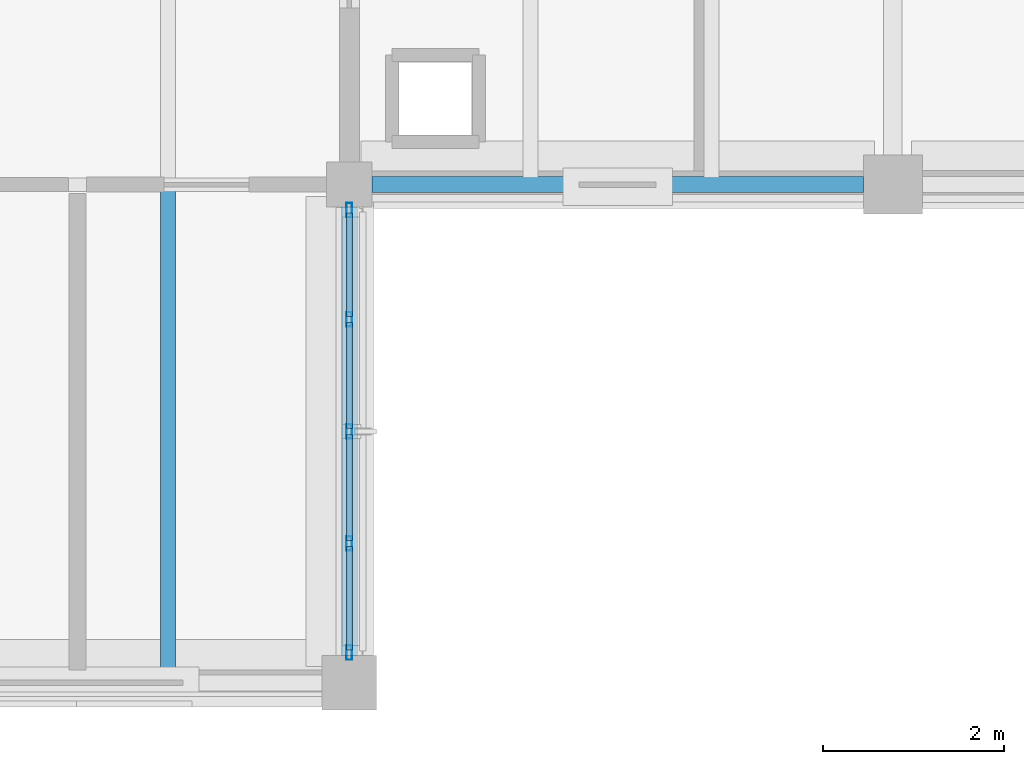
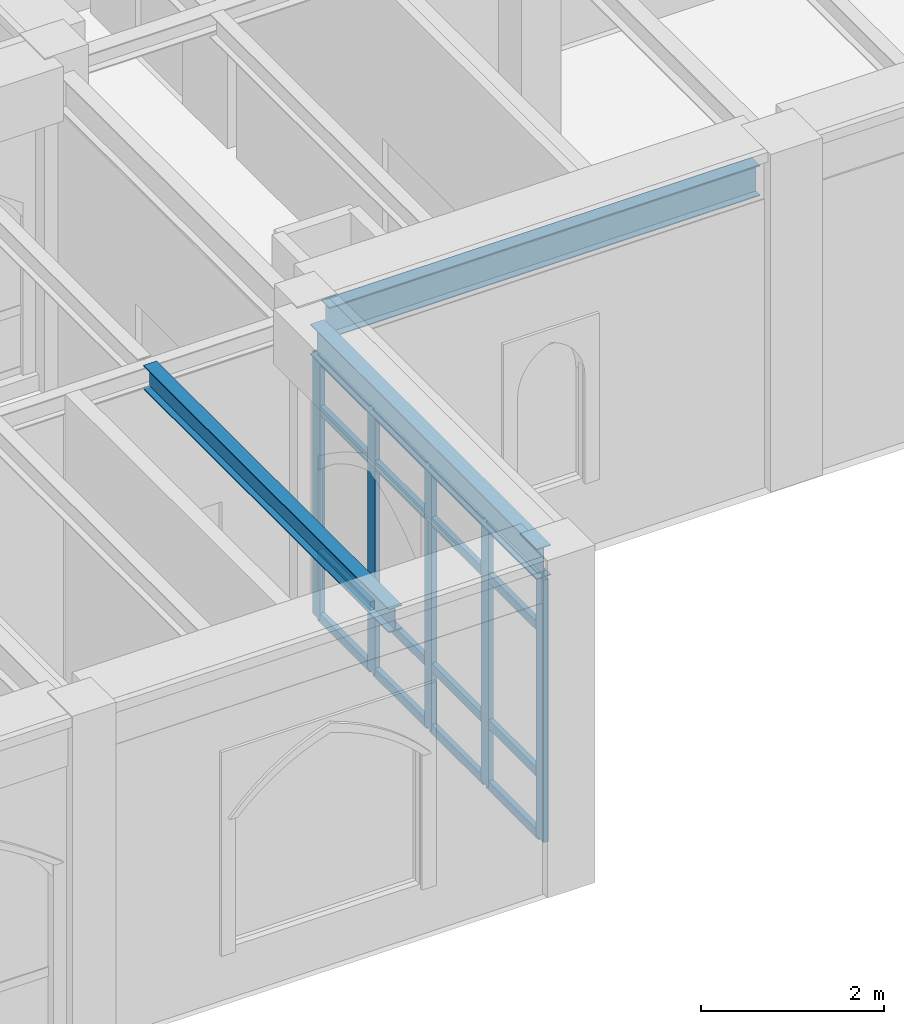
# One storey, part 45 of 127: 21 members, 3 beams, 1 element without a shape of its own.
"""IFC4 building model written with IfcOpenShell, lengths in metres."""

from ifc_helpers import new_model, si_unit, direction, frame, origin, origin_2d, place, context, subcontext, project, spatial, hollow_rectangle, i_section, extrude, material, layer, layer_set, material_profile, profile_set, type_object, element, aggregate, save


model = new_model("IFC4")

# Units and contexts
model_context = context("Model", 3, precision=1e-05, world=origin(), true_north=direction((0.0, 1.0)))
body_context = subcontext(model_context, "Body", "Model", "MODEL_VIEW")
ifc_project = project(units=[si_unit("LENGTHUNIT", "METRE"), si_unit("AREAUNIT", "SQUARE_METRE"), si_unit("VOLUMEUNIT", "CUBIC_METRE"), si_unit("PLANEANGLEUNIT", "RADIAN"), si_unit("MASSUNIT", "GRAM", prefix="KILO")], contexts=[model_context])

# Site, building, storey
site_placement = place(None, origin())
site = spatial("IfcSite", under=ifc_project, at=site_placement, CompositionType="ELEMENT")
building_placement = place(site_placement, origin())
building = spatial("IfcBuilding", under=site, at=building_placement, Name="Cumevento Cable Car Station", CompositionType="ELEMENT")
storey_placement = place(building_placement, frame((0.0, 0.0, 4.5)))
storey = spatial("IfcBuildingStorey", under=building, at=storey_placement, Name="L02", CompositionType="ELEMENT", Elevation=4.5)

# Curtain wall, members
ifc_material_1 = material(Name="Anodised Bronze Aluminium AW-6063-T6", Category="aluminium")
ifc_layer = layer(ifc_material_1, 0.177978515625)
ifc_layer_set = layer_set([ifc_layer], Name="Anodised Bronze Aluminium AW-6063-T6")
curtain_wall_type = type_object("IfcCurtainWallType", Name="Lancet Curtain Wall CW-04 1170", PredefinedType="NOTDEFINED", material=ifc_layer_set)
curtain_wall_placement = place(storey_placement, origin())
curtain_wall = element("IfcCurtainWall", 1, at=curtain_wall_placement, inside=storey, type_object=curtain_wall_type, Name="Lancet Curtain Wall CW-04 L02 #35", PredefinedType="NOTDEFINED")
ifc_material_2 = material(Name="Anodised Bronze Aluminium AW-6063-T6", Category="aluminium")
ifc_material_profile_1 = material_profile(ifc_material_2, hollow_rectangle(XDim=0.06494140625, YDim=0.159912109375, WallThickness=0.00390625, at=origin_2d()), Name="ALUM65x160x4")
ifc_profile_set_1 = profile_set([ifc_material_profile_1], Name="Anodised Bronze Aluminium AW-6063-T6")
member_type_1 = type_object("IfcMemberType", Name="Curtain Mullion CWM-01 ALUM65x160x4", PredefinedType="MULLION", material=ifc_profile_set_1)
member_1_placement = place(storey_placement, frame((118.0, 9.217529296875, 0.31005859375), z_axis=(0.0, 0.0, 1.0), x_axis=(1.0, 0.0, 0.0)))
member_1 = element("IfcMember", 2, at=member_1_placement, type_object=member_type_1, Name="CW-04 mullion 1", PredefinedType="MULLION", context=body_context, shape_type="SweptSolid", body=[
    extrude(hollow_rectangle(XDim=0.06494140625, YDim=0.159912109375, WallThickness=0.00390625, at=origin_2d()), origin(), (0.0, 0.0, 1.0), 3.4990234375),
])
member_2_placement = place(storey_placement, frame((118.0, 8.012451171875, 0.31005859375), z_axis=(0.0, 0.0, 1.0), x_axis=(1.0, 0.0, 0.0)))
member_2 = element("IfcMember", 3, at=member_2_placement, type_object=member_type_1, Name="CW-04 mullion 2", PredefinedType="MULLION", context=body_context, shape_type="SweptSolid", body=[
    extrude(hollow_rectangle(XDim=0.06494140625, YDim=0.159912109375, WallThickness=0.00390625, at=origin_2d()), origin(), (0.0, 0.0, 1.0), 3.4990234375),
])
member_3_placement = place(storey_placement, frame((118.0, 6.77490234375, 0.31005859375), z_axis=(0.0, 0.0, 1.0), x_axis=(1.0, 0.0, 0.0)))
member_3 = element("IfcMember", 4, at=member_3_placement, type_object=member_type_1, Name="CW-04 mullion 3", PredefinedType="MULLION", context=body_context, shape_type="SweptSolid", body=[
    extrude(hollow_rectangle(XDim=0.06494140625, YDim=0.159912109375, WallThickness=0.00390625, at=origin_2d()), origin(), (0.0, 0.0, 1.0), 3.4990234375),
])
member_4_placement = place(storey_placement, frame((118.0, 5.53759765625, 0.31005859375), z_axis=(0.0, 0.0, 1.0), x_axis=(1.0, 0.0, 0.0)))
member_4 = element("IfcMember", 5, at=member_4_placement, type_object=member_type_1, Name="CW-04 mullion 4", PredefinedType="MULLION", context=body_context, shape_type="SweptSolid", body=[
    extrude(hollow_rectangle(XDim=0.06494140625, YDim=0.159912109375, WallThickness=0.00390625, at=origin_2d()), origin(), (0.0, 0.0, 1.0), 3.4990234375),
])
member_5_placement = place(storey_placement, frame((118.0, 4.33251953125, 0.31005859375), z_axis=(0.0, 0.0, 1.0), x_axis=(1.0, 0.0, 0.0)))
member_5 = element("IfcMember", 6, at=member_5_placement, type_object=member_type_1, Name="CW-04 mullion 5", PredefinedType="MULLION", context=body_context, shape_type="SweptSolid", body=[
    extrude(hollow_rectangle(XDim=0.06494140625, YDim=0.159912109375, WallThickness=0.00390625, at=origin_2d()), origin(), (0.0, 0.0, 1.0), 3.4990234375),
])
ifc_material_3 = material(Name="Anodised Bronze Aluminium AW-6063-T6", Category="aluminium")
ifc_material_profile_2 = material_profile(ifc_material_3, hollow_rectangle(XDim=0.06494140625, YDim=0.1201171875, WallThickness=0.00390625, at=origin_2d()), Name="ALUT65x120x4")
ifc_profile_set_2 = profile_set([ifc_material_profile_2], Name="Anodised Bronze Aluminium AW-6063-T6")
member_type_2 = type_object("IfcMemberType", Name="Curtain Transom CWT-01 ALUT65x120x4", PredefinedType="USERDEFINED", material=ifc_profile_set_2)
member_6_placement = place(storey_placement, frame((118.0, 9.18505859375, 0.342529296875), z_axis=(0.0, -1.0, 0.0), x_axis=(1.0, 0.0, 0.0)))
member_6 = element("IfcMember", 7, at=member_6_placement, type_object=member_type_2, Name="CW-04 transom 1.1", ObjectType="TRANSOM", PredefinedType="USERDEFINED", context=body_context, shape_type="SweptSolid", body=[
    extrude(hollow_rectangle(XDim=0.06494140625, YDim=0.1201171875, WallThickness=0.00390625, at=origin_2d()), origin(), (0.0, 0.0, 1.0), 1.14013671875),
])
member_7_placement = place(storey_placement, frame((118.0, 9.18505859375, 1.159912109375), z_axis=(0.0, -1.0, 0.0), x_axis=(1.0, 0.0, 0.0)))
member_7 = element("IfcMember", 8, at=member_7_placement, type_object=member_type_2, Name="CW-04 transom 1.2", ObjectType="TRANSOM", PredefinedType="USERDEFINED", context=body_context, shape_type="SweptSolid", body=[
    extrude(hollow_rectangle(XDim=0.06494140625, YDim=0.1201171875, WallThickness=0.00390625, at=origin_2d()), origin(), (0.0, 0.0, 1.0), 1.14013671875),
])
member_8_placement = place(storey_placement, frame((118.0, 9.18505859375, 3.10888671875), z_axis=(0.0, -1.0, 0.0), x_axis=(1.0, 0.0, 0.0)))
member_8 = element("IfcMember", 9, at=member_8_placement, type_object=member_type_2, Name="CW-04 transom 1.3", ObjectType="TRANSOM", PredefinedType="USERDEFINED", context=body_context, shape_type="SweptSolid", body=[
    extrude(hollow_rectangle(XDim=0.06494140625, YDim=0.1201171875, WallThickness=0.00390625, at=origin_2d()), origin(), (0.0, 0.0, 1.0), 1.14013671875),
])
member_9_placement = place(storey_placement, frame((118.0, 9.18505859375, 3.776611328125), z_axis=(0.0, -1.0, 0.0), x_axis=(1.0, 0.0, 0.0)))
member_9 = element("IfcMember", 10, at=member_9_placement, type_object=member_type_2, Name="CW-04 transom 1.4", ObjectType="TRANSOM", PredefinedType="USERDEFINED", context=body_context, shape_type="SweptSolid", body=[
    extrude(hollow_rectangle(XDim=0.06494140625, YDim=0.1201171875, WallThickness=0.00390625, at=origin_2d()), origin(), (0.0, 0.0, 1.0), 1.14013671875),
])
member_10_placement = place(storey_placement, frame((118.0, 7.97998046875, 0.342529296875), z_axis=(0.0, -1.0, 0.0), x_axis=(1.0, 0.0, 0.0)))
member_10 = element("IfcMember", 11, at=member_10_placement, type_object=member_type_2, Name="CW-04 transom 2.1", ObjectType="TRANSOM", PredefinedType="USERDEFINED", context=body_context, shape_type="SweptSolid", body=[
    extrude(hollow_rectangle(XDim=0.06494140625, YDim=0.1201171875, WallThickness=0.00390625, at=origin_2d()), origin(), (0.0, 0.0, 1.0), 1.17236328125),
])
member_11_placement = place(storey_placement, frame((118.0, 7.97998046875, 1.159912109375), z_axis=(0.0, -1.0, 0.0), x_axis=(1.0, 0.0, 0.0)))
member_11 = element("IfcMember", 12, at=member_11_placement, type_object=member_type_2, Name="CW-04 transom 2.2", ObjectType="TRANSOM", PredefinedType="USERDEFINED", context=body_context, shape_type="SweptSolid", body=[
    extrude(hollow_rectangle(XDim=0.06494140625, YDim=0.1201171875, WallThickness=0.00390625, at=origin_2d()), origin(), (0.0, 0.0, 1.0), 1.17236328125),
])
member_12_placement = place(storey_placement, frame((118.0, 7.97998046875, 3.10888671875), z_axis=(0.0, -1.0, 0.0), x_axis=(1.0, 0.0, 0.0)))
member_12 = element("IfcMember", 13, at=member_12_placement, type_object=member_type_2, Name="CW-04 transom 2.3", ObjectType="TRANSOM", PredefinedType="USERDEFINED", context=body_context, shape_type="SweptSolid", body=[
    extrude(hollow_rectangle(XDim=0.06494140625, YDim=0.1201171875, WallThickness=0.00390625, at=origin_2d()), origin(), (0.0, 0.0, 1.0), 1.17236328125),
])
member_13_placement = place(storey_placement, frame((118.0, 7.97998046875, 3.776611328125), z_axis=(0.0, -1.0, 0.0), x_axis=(1.0, 0.0, 0.0)))
member_13 = element("IfcMember", 14, at=member_13_placement, type_object=member_type_2, Name="CW-04 transom 2.4", ObjectType="TRANSOM", PredefinedType="USERDEFINED", context=body_context, shape_type="SweptSolid", body=[
    extrude(hollow_rectangle(XDim=0.06494140625, YDim=0.1201171875, WallThickness=0.00390625, at=origin_2d()), origin(), (0.0, 0.0, 1.0), 1.17236328125),
])
member_14_placement = place(storey_placement, frame((118.0, 6.742431640625, 0.342529296875), z_axis=(0.0, -1.0, 0.0), x_axis=(1.0, 0.0, 0.0)))
member_14 = element("IfcMember", 15, at=member_14_placement, type_object=member_type_2, Name="CW-04 transom 3.1", ObjectType="TRANSOM", PredefinedType="USERDEFINED", context=body_context, shape_type="SweptSolid", body=[
    extrude(hollow_rectangle(XDim=0.06494140625, YDim=0.1201171875, WallThickness=0.00390625, at=origin_2d()), origin(), (0.0, 0.0, 1.0), 1.17236328125),
])
member_15_placement = place(storey_placement, frame((118.0, 6.742431640625, 1.159912109375), z_axis=(0.0, -1.0, 0.0), x_axis=(1.0, 0.0, 0.0)))
member_15 = element("IfcMember", 16, at=member_15_placement, type_object=member_type_2, Name="CW-04 transom 3.2", ObjectType="TRANSOM", PredefinedType="USERDEFINED", context=body_context, shape_type="SweptSolid", body=[
    extrude(hollow_rectangle(XDim=0.06494140625, YDim=0.1201171875, WallThickness=0.00390625, at=origin_2d()), origin(), (0.0, 0.0, 1.0), 1.17236328125),
])
member_16_placement = place(storey_placement, frame((118.0, 6.742431640625, 3.10888671875), z_axis=(0.0, -1.0, 0.0), x_axis=(1.0, 0.0, 0.0)))
member_16 = element("IfcMember", 17, at=member_16_placement, type_object=member_type_2, Name="CW-04 transom 3.3", ObjectType="TRANSOM", PredefinedType="USERDEFINED", context=body_context, shape_type="SweptSolid", body=[
    extrude(hollow_rectangle(XDim=0.06494140625, YDim=0.1201171875, WallThickness=0.00390625, at=origin_2d()), origin(), (0.0, 0.0, 1.0), 1.17236328125),
])
member_17_placement = place(storey_placement, frame((118.0, 6.742431640625, 3.776611328125), z_axis=(0.0, -1.0, 0.0), x_axis=(1.0, 0.0, 0.0)))
member_17 = element("IfcMember", 18, at=member_17_placement, type_object=member_type_2, Name="CW-04 transom 3.4", ObjectType="TRANSOM", PredefinedType="USERDEFINED", context=body_context, shape_type="SweptSolid", body=[
    extrude(hollow_rectangle(XDim=0.06494140625, YDim=0.1201171875, WallThickness=0.00390625, at=origin_2d()), origin(), (0.0, 0.0, 1.0), 1.17236328125),
])
member_18_placement = place(storey_placement, frame((118.0, 5.5048828125, 0.342529296875), z_axis=(0.0, -1.0, 0.0), x_axis=(1.0, 0.0, 0.0)))
member_18 = element("IfcMember", 19, at=member_18_placement, type_object=member_type_2, Name="CW-04 transom 4.1", ObjectType="TRANSOM", PredefinedType="USERDEFINED", context=body_context, shape_type="SweptSolid", body=[
    extrude(hollow_rectangle(XDim=0.06494140625, YDim=0.1201171875, WallThickness=0.00390625, at=origin_2d()), origin(), (0.0, 0.0, 1.0), 1.139892578125),
])
member_19_placement = place(storey_placement, frame((118.0, 5.5048828125, 1.159912109375), z_axis=(0.0, -1.0, 0.0), x_axis=(1.0, 0.0, 0.0)))
member_19 = element("IfcMember", 20, at=member_19_placement, type_object=member_type_2, Name="CW-04 transom 4.2", ObjectType="TRANSOM", PredefinedType="USERDEFINED", context=body_context, shape_type="SweptSolid", body=[
    extrude(hollow_rectangle(XDim=0.06494140625, YDim=0.1201171875, WallThickness=0.00390625, at=origin_2d()), origin(), (0.0, 0.0, 1.0), 1.139892578125),
])
member_20_placement = place(storey_placement, frame((118.0, 5.5048828125, 3.10888671875), z_axis=(0.0, -1.0, 0.0), x_axis=(1.0, 0.0, 0.0)))
member_20 = element("IfcMember", 21, at=member_20_placement, type_object=member_type_2, Name="CW-04 transom 4.3", ObjectType="TRANSOM", PredefinedType="USERDEFINED", context=body_context, shape_type="SweptSolid", body=[
    extrude(hollow_rectangle(XDim=0.06494140625, YDim=0.1201171875, WallThickness=0.00390625, at=origin_2d()), origin(), (0.0, 0.0, 1.0), 1.139892578125),
])
member_21_placement = place(storey_placement, frame((118.0, 5.5048828125, 3.776611328125), z_axis=(0.0, -1.0, 0.0), x_axis=(1.0, 0.0, 0.0)))
member_21 = element("IfcMember", 22, at=member_21_placement, type_object=member_type_2, Name="CW-04 transom 4.4", ObjectType="TRANSOM", PredefinedType="USERDEFINED", context=body_context, shape_type="SweptSolid", body=[
    extrude(hollow_rectangle(XDim=0.06494140625, YDim=0.1201171875, WallThickness=0.00390625, at=origin_2d()), origin(), (0.0, 0.0, 1.0), 1.139892578125),
])
aggregate(curtain_wall, [member_1, member_2, member_3, member_4, member_5, member_6, member_7, member_8, member_9, member_10, member_11, member_12, member_13, member_14, member_15, member_16, member_17, member_18, member_19, member_20, member_21])

# Beams
ifc_material_4 = material(Name="Steel ASTM A572 Grade 50", Category="steel")
ifc_material_profile_3 = material_profile(ifc_material_4, i_section(OverallWidth=0.1669921875, OverallDepth=0.31689453125, WebThickness=0.007568359375, FlangeThickness=0.01318359375, at=origin_2d()), Name="W310x52.0")
ifc_profile_set_3 = profile_set([ifc_material_profile_3], Name="Steel ASTM A572 Grade 50")
beam_type_1 = type_object("IfcBeamType", Name="Structural Joist JS-02 W310x52.0", PredefinedType="JOIST", material=ifc_profile_set_3)
beam_1_placement = place(storey_placement, frame((116.0, 4.076904296875, 4.091552734375), z_axis=(0.0, 1.0, 0.0), x_axis=(-1.0, 0.0, 0.0)))
element("IfcBeam", 23, at=beam_1_placement, inside=storey, type_object=beam_type_1, Name="Composite Floor Joist JS-02 L02 #750", PredefinedType="JOIST", context=body_context, shape_type="SweptSolid", body=[
    extrude(i_section(OverallWidth=0.1669921875, OverallDepth=0.31689453125, WebThickness=0.007568359375, FlangeThickness=0.01318359375, at=origin_2d()), origin(), (0.0, 0.0, 1.0), 5.361083984375),
])
ifc_material_5 = material(Name="Steel ASTM A572 Grade 50", Category="steel")
ifc_material_profile_4 = material_profile(ifc_material_5, i_section(OverallWidth=0.177978515625, OverallDepth=0.406982421875, WebThickness=0.0078125, FlangeThickness=0.0126953125, at=origin_2d()), Name="W410x60.0")
ifc_profile_set_4 = profile_set([ifc_material_profile_4], Name="Steel ASTM A572 Grade 50")
beam_type_2 = type_object("IfcBeamType", Name="Structural Spandrel SP-01 W410x60.0", PredefinedType="SPANDREL", material=ifc_profile_set_4)
beam_2_placement = place(storey_placement, frame((118.0, 4.300048828125, 4.012451171875), z_axis=(0.0, 1.0, 0.0), x_axis=(-1.0, 0.0, 0.0)))
element("IfcBeam", 24, at=beam_2_placement, inside=storey, type_object=beam_type_2, Name="Beam SP-01 L02 #475", PredefinedType="SPANDREL", context=body_context, shape_type="SweptSolid", body=[
    extrude(i_section(OverallWidth=0.177978515625, OverallDepth=0.406982421875, WebThickness=0.0078125, FlangeThickness=0.0126953125, at=origin_2d()), origin(), (0.0, 0.0, 1.0), 4.949951171875),
])
beam_3_placement = place(storey_placement, frame((118.25, 9.5, 4.012451171875), z_axis=(1.0, 0.0, 0.0), x_axis=(0.0, 1.0, 0.0)))
element("IfcBeam", 25, at=beam_3_placement, inside=storey, type_object=beam_type_2, Name="Beam SP-01 L02 #650", PredefinedType="SPANDREL", context=body_context, shape_type="SweptSolid", body=[
    extrude(i_section(OverallWidth=0.177978515625, OverallDepth=0.406982421875, WebThickness=0.0078125, FlangeThickness=0.0126953125, at=origin_2d()), origin(), (0.0, 0.0, 1.0), 5.425048828125),
])

save(model, "model.ifc")
